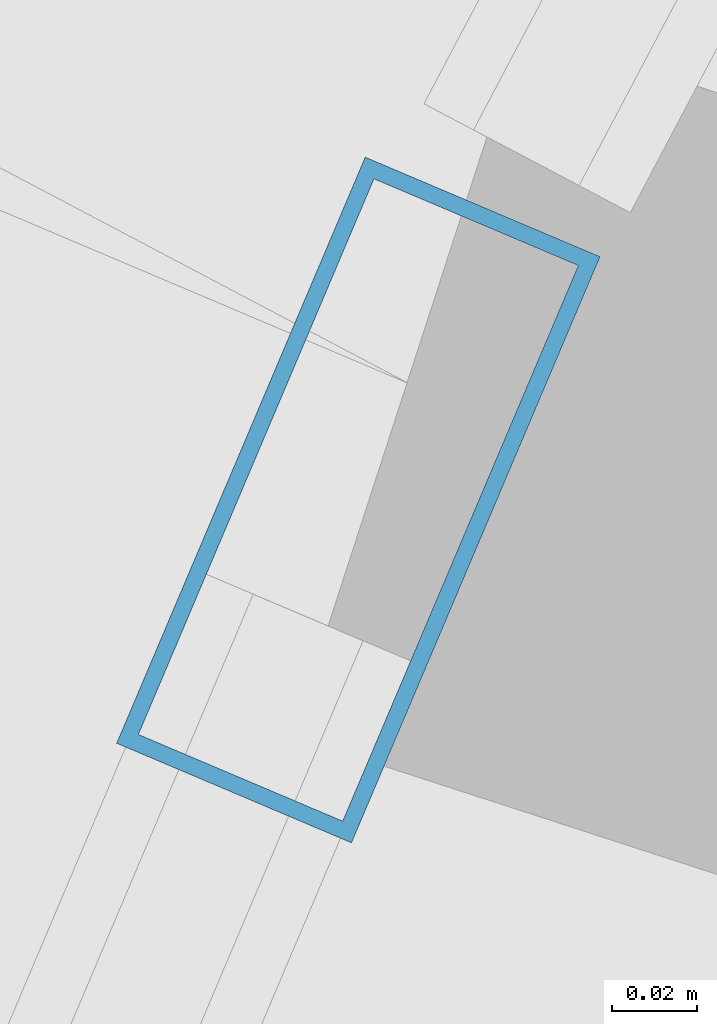
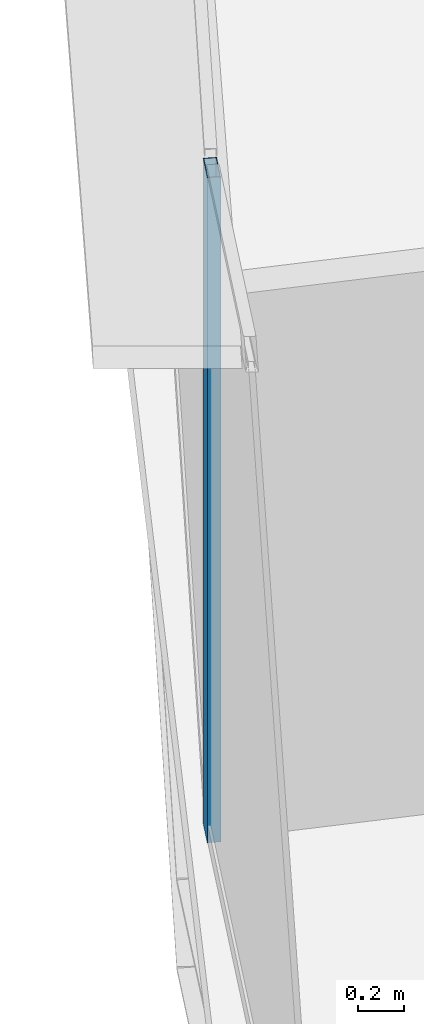
# One storey, part 8 of 37: 1 member, 1 element without a shape of its own.
"""IFC4 building model written with IfcOpenShell, lengths in metres."""

from ifc_helpers import new_model, si_unit, direction, frame, origin, origin_2d, place, context, subcontext, project, spatial, hollow_rectangle, extrude, source, transform, mapped, material, layer, layer_set, material_profile, profile_set, type_object, element, aggregate, save


model = new_model("IFC4")

# Units and contexts
model_context = context("Model", 3, precision=1e-05, world=origin(), true_north=direction((0.0, 1.0)))
body_context = subcontext(model_context, "Body", "Model", "MODEL_VIEW")
ifc_project = project(units=[si_unit("LENGTHUNIT", "METRE"), si_unit("AREAUNIT", "SQUARE_METRE"), si_unit("VOLUMEUNIT", "CUBIC_METRE"), si_unit("PLANEANGLEUNIT", "RADIAN"), si_unit("MASSUNIT", "GRAM", prefix="KILO"), si_unit("THERMODYNAMICTEMPERATUREUNIT", "KELVIN"), si_unit("POWERUNIT", "WATT")], contexts=[model_context])

# Site, building, storey
site_placement = place(None, origin())
site = spatial("IfcSite", under=ifc_project, at=site_placement, CompositionType="ELEMENT")
building_placement = place(site_placement, origin())
building = spatial("IfcBuilding", under=site, at=building_placement, Name="Yunzhuo Pagoda Commons", CompositionType="ELEMENT")
storey_placement = place(building_placement, frame((0.0, 0.0, 199.9599609375)))
storey = spatial("IfcBuildingStorey", under=building, at=storey_placement, Name="L50", CompositionType="ELEMENT", Elevation=199.9599609375)

# Curtain wall, member
ifc_material = material(Name="Anodized aluminium 6063-T6", Category="aluminium")
ifc_layer = layer(ifc_material, 0.14990234375)
ifc_layer_set = layer_set([ifc_layer], Name="Anodized aluminium 6063-T6")
curtain_wall_type = type_object("IfcCurtainWallType", Name="CW-MID Mid-Zone Ribbon Curtain Wall", PredefinedType="NOTDEFINED", material=ifc_layer_set)
curtain_wall_placement = place(storey_placement, origin())
curtain_wall = element("IfcCurtainWall", 1, at=curtain_wall_placement, inside=storey, type_object=curtain_wall_type, Name="L50 curtain wall CW-L50-F3B4", PredefinedType="NOTDEFINED")
ifc_material_profile = material_profile(ifc_material, hollow_rectangle(XDim=0.06005859375, YDim=0.14990234375, WallThickness=0.00390625, at=origin_2d()), Name="Anodized aluminium 6063-T6")
ifc_profile_set = profile_set([ifc_material_profile], Name="Anodized aluminium 6063-T6")
member_type = type_object("IfcMemberType", Name="CW-MID-M Mullion RHS 150x60x4", PredefinedType="MULLION", material=ifc_profile_set)
shared_shape = source(origin(), body_context, "Body", "SweptSolid", [
    extrude(hollow_rectangle(XDim=0.06005859375, YDim=0.14990234375, WallThickness=0.00390625, at=origin_2d()), origin(), (0.0, 0.0, 1.0), 3.5400390625),
])
member_placement = place(storey_placement, frame((17.6123046875, 43.542236328125, 0.0), z_axis=(0.0, 0.0, 1.0), x_axis=(0.920666607247, -0.390349840912, 0.0)))
member = element("IfcMember", 2, at=member_placement, type_object=member_type, Name="CW mullion 1", PredefinedType="MULLION", context=body_context, shape_type="MappedRepresentation", body=[
    mapped(shared_shape, transform((0.0, 0.0, 0.0), scale=1.0)),
])
aggregate(curtain_wall, [member])

save(model, "model.ifc")
